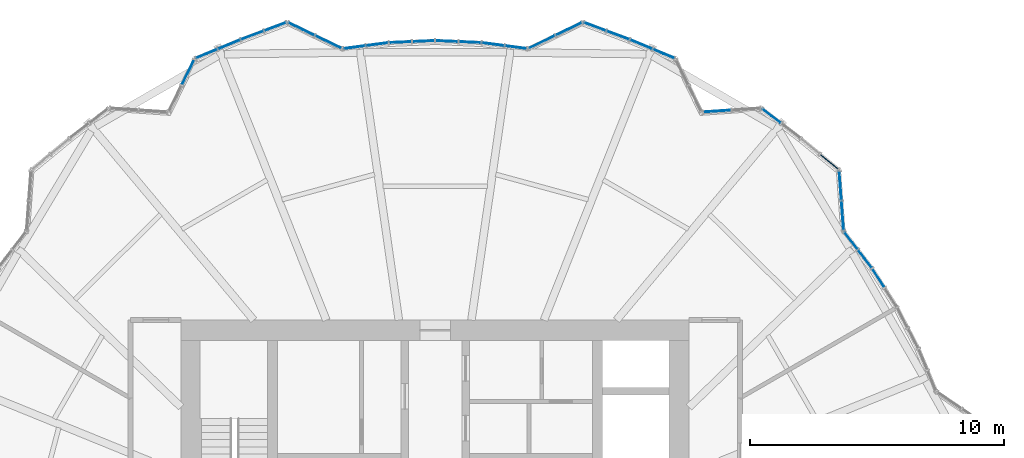
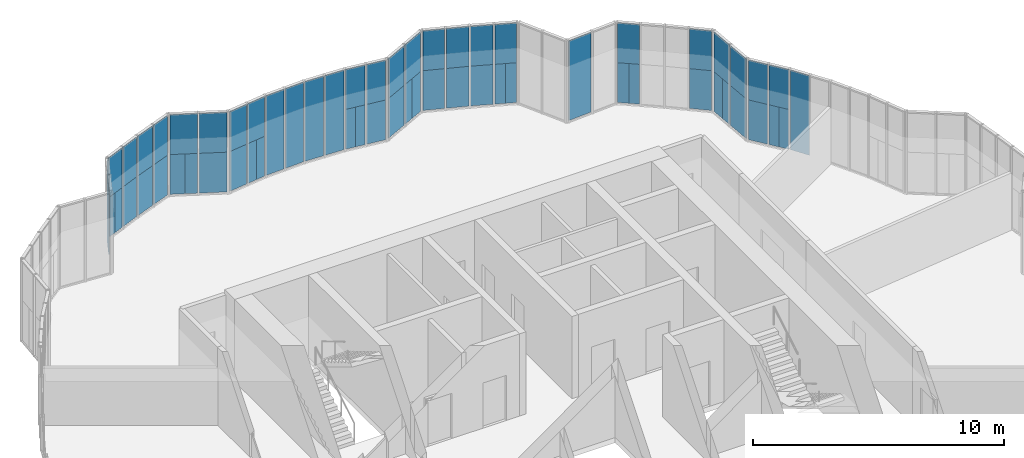
# One storey, part 18 of 22: 60 plates, 17 elements without a shape of their own.
"""IFC4 building model written with IfcOpenShell, lengths in metres."""

from ifc_helpers import new_model, si_unit, direction, frame, origin, origin_2d, place, context, subcontext, project, spatial, rectangle, extrude, material, layer, layer_set, type_object, element, aggregate, save


model = new_model("IFC4")

# Units and contexts
model_context = context("Model", 3, precision=1e-05, world=origin(), true_north=direction((0.0, 1.0)))
body_context = subcontext(model_context, "Body", "Model", "MODEL_VIEW")
ifc_project = project(units=[si_unit("LENGTHUNIT", "METRE"), si_unit("AREAUNIT", "SQUARE_METRE"), si_unit("VOLUMEUNIT", "CUBIC_METRE"), si_unit("PLANEANGLEUNIT", "RADIAN"), si_unit("MASSUNIT", "GRAM", prefix="KILO")], contexts=[model_context])

# Site, building, storey
site_placement = place(None, origin())
site = spatial("IfcSite", under=ifc_project, at=site_placement, CompositionType="ELEMENT")
building_placement = place(site_placement, origin())
building = spatial("IfcBuilding", under=site, at=building_placement, Name="Golbaran Civic Tower", CompositionType="ELEMENT")
storey_placement = place(building_placement, frame((0.0, 0.0, 29.0)))
storey = spatial("IfcBuildingStorey", under=building, at=storey_placement, Name="L06", CompositionType="ELEMENT", Elevation=29.0)

# Curtain wall, plate
ifc_material_1 = material(Name="Aluminium and glass", Category="aluminium")
curtain_wall_type = type_object("IfcCurtainWallType", Name="INNER SKIN CURTAIN WALL", PredefinedType="NOTDEFINED", material=ifc_material_1)
curtain_wall_1_placement = place(storey_placement, origin())
curtain_wall_1 = element("IfcCurtainWall", 1, at=curtain_wall_1_placement, inside=storey, type_object=curtain_wall_type, Name="Inner skin L06 facet 7 CW1", ObjectType="INNER SKIN", PredefinedType="USERDEFINED")
ifc_material_2 = material(Name="Clear insulating glass", Category="glass")
ifc_layer_1 = layer(ifc_material_2, 0.031982421875, Name="Clear insulating glass")
ifc_layer_set_1 = layer_set([ifc_layer_1], Name="Clear insulating glass")
plate_type_1 = type_object("IfcPlateType", Name="INNER SKIN CURTAIN WALL GLAZED PANEL", PredefinedType="CURTAIN_PANEL", material=ifc_layer_set_1)
plate_1_placement = place(storey_placement, frame((17.452392578125, 11.66162109375, 0.06494140625), z_axis=(0.0, 0.0, 1.0), x_axis=(-0.537299608155, 0.843391445935, 0.0)))
plate_1 = element("IfcPlate", 2, at=plate_1_placement, type_object=plate_type_1, Name="CW1 panel 2.1", PredefinedType="CURTAIN_PANEL", context=body_context, shape_type="SweptSolid", body=[
    extrude(rectangle(XDim=0.851318359375, YDim=0.031982421875, at=origin_2d()), origin(), (0.0, 0.0, 1.0), 3.8701171875),
])
aggregate(curtain_wall_1, [plate_1])

# Curtain wall, plates
curtain_wall_2_placement = place(storey_placement, origin())
curtain_wall_2 = element("IfcCurtainWall", 3, at=curtain_wall_2_placement, inside=storey, type_object=curtain_wall_type, Name="Inner skin L06 facet 8 CW1", ObjectType="INNER SKIN", PredefinedType="USERDEFINED")
plate_2_placement = place(storey_placement, frame((17.05810546875, 12.2412109375, 0.06494140625), z_axis=(0.0, 0.0, 1.0), x_axis=(-0.60876142905, 0.793353340259, 0.0)))
plate_2 = element("IfcPlate", 4, at=plate_2_placement, type_object=plate_type_1, Name="CW1 panel 1.1 part 1", PredefinedType="CURTAIN_PANEL", context=body_context, shape_type="SweptSolid", body=[
    extrude(rectangle(XDim=0.422119140625, YDim=0.031982421875, at=origin_2d()), origin(), (0.0, 0.0, 1.0), 1.93505859375),
])
plate_3_placement = place(storey_placement, frame((16.927490234375, 12.411376953125, 2.0), z_axis=(0.0, 0.0, 1.0), x_axis=(-0.60876142905, 0.793353340259, 0.0)))
plate_3 = element("IfcPlate", 5, at=plate_3_placement, type_object=plate_type_1, Name="CW1 panel 1.1 part 3", PredefinedType="CURTAIN_PANEL", context=body_context, shape_type="SweptSolid", body=[
    extrude(rectangle(XDim=0.851318359375, YDim=0.031982421875, at=origin_2d()), origin(), (0.0, 0.0, 1.0), 1.93505859375),
])

# Curtain wall, plate
curtain_wall_3_placement = place(storey_placement, origin())
curtain_wall_3 = element("IfcCurtainWall", 6, at=curtain_wall_3_placement, inside=storey, type_object=curtain_wall_type, Name="Inner skin L06 facet 9 CW1", ObjectType="INNER SKIN", PredefinedType="USERDEFINED")
plate_4_placement = place(storey_placement, frame((15.93896484375, 15.5400390625, 0.06494140625), z_axis=(0.0, 0.0, 1.0), x_axis=(-0.074267065092, 0.997238388272, 0.0)))
plate_4 = element("IfcPlate", 7, at=plate_4_placement, type_object=plate_type_1, Name="CW1 panel 2.1 part 2", PredefinedType="CURTAIN_PANEL", context=body_context, shape_type="SweptSolid", body=[
    extrude(rectangle(XDim=0.614501953125, YDim=0.031982421875, at=origin_2d()), origin(), (0.0, 0.0, 1.0), 1.93505859375),
])

curtain_wall_4_placement = place(storey_placement, origin())
curtain_wall_4 = element("IfcCurtainWall", 8, at=curtain_wall_4_placement, inside=storey, type_object=curtain_wall_type, Name="Inner skin L06 facet 10 CW1", ObjectType="INNER SKIN", PredefinedType="USERDEFINED")
plate_5_placement = place(storey_placement, frame((15.520263671875, 16.2333984375, 0.06494140625), z_axis=(0.0, 0.0, 1.0), x_axis=(-0.772032452954, 0.63558311147, 0.0)))
plate_5 = element("IfcPlate", 9, at=plate_5_placement, type_object=plate_type_1, Name="CW1 panel 1.1 part 1", PredefinedType="CURTAIN_PANEL", context=body_context, shape_type="SweptSolid", body=[
    extrude(rectangle(XDim=0.883056640625, YDim=0.031982421875, at=origin_2d()), origin(), (0.0, 0.0, 1.0), 1.93505859375),
])

# Curtain wall, plates
curtain_wall_5_placement = place(storey_placement, origin())
curtain_wall_5 = element("IfcCurtainWall", 10, at=curtain_wall_5_placement, inside=storey, type_object=curtain_wall_type, Name="Inner skin L06 facet 11 CW1", ObjectType="INNER SKIN", PredefinedType="USERDEFINED")
plate_6_placement = place(storey_placement, frame((13.0751953125, 18.172119140625, 0.06494140625), z_axis=(0.0, 0.0, 1.0), x_axis=(-0.793353340408, 0.608761428856, 0.0)))
plate_6 = element("IfcPlate", 11, at=plate_6_placement, type_object=plate_type_1, Name="CW1 panel 2.1 part 2", PredefinedType="CURTAIN_PANEL", context=body_context, shape_type="SweptSolid", body=[
    extrude(rectangle(XDim=0.445556640625, YDim=0.031982421875, at=origin_2d()), origin(), (0.0, 0.0, 1.0), 1.93505859375),
])
plate_7_placement = place(storey_placement, frame((13.247314453125, 18.0400390625, 2.0), z_axis=(0.0, 0.0, 1.0), x_axis=(-0.793353340408, 0.608761428856, 0.0)))
plate_7 = element("IfcPlate", 12, at=plate_7_placement, type_object=plate_type_1, Name="CW1 panel 2.1 part 3", PredefinedType="CURTAIN_PANEL", context=body_context, shape_type="SweptSolid", body=[
    extrude(rectangle(XDim=0.87939453125, YDim=0.031982421875, at=origin_2d()), origin(), (0.0, 0.0, 1.0), 1.93505859375),
])

# Curtain wall, plate
curtain_wall_6_placement = place(storey_placement, origin())
curtain_wall_6 = element("IfcCurtainWall", 13, at=curtain_wall_6_placement, inside=storey, type_object=curtain_wall_type, Name="Inner skin L06 facet 12 CW1", ObjectType="INNER SKIN", PredefinedType="USERDEFINED")
plate_8_placement = place(storey_placement, frame((11.104736328125, 18.23095703125, 0.06494140625), z_axis=(0.0, 0.0, 1.0), x_axis=(-0.99777932909, -0.066606384387, 0.0)))
plate_8 = element("IfcPlate", 14, at=plate_8_placement, type_object=plate_type_1, Name="CW1 panel 2.1", PredefinedType="CURTAIN_PANEL", context=body_context, shape_type="SweptSolid", body=[
    extrude(rectangle(XDim=1.077392578125, YDim=0.031982421875, at=origin_2d()), origin(), (0.0, 0.0, 1.0), 3.8701171875),
])
aggregate(curtain_wall_6, [plate_8])

# Curtain wall, plates
curtain_wall_7_placement = place(storey_placement, origin())
curtain_wall_7 = element("IfcCurtainWall", 15, at=curtain_wall_7_placement, inside=storey, type_object=curtain_wall_type, Name="Inner skin L06 facet 14 CW1", ObjectType="INNER SKIN", PredefinedType="USERDEFINED")
plate_9_placement = place(storey_placement, frame((9.2001953125, 20.409423828125, 0.06494140625), z_axis=(0.0, 0.0, 1.0), x_axis=(-0.923879532551, 0.382683432268, 0.0)))
plate_9 = element("IfcPlate", 16, at=plate_9_placement, type_object=plate_type_1, Name="CW1 panel 1.1 part 1", PredefinedType="CURTAIN_PANEL", context=body_context, shape_type="SweptSolid", body=[
    extrude(rectangle(XDim=0.445068359375, YDim=0.031982421875, at=origin_2d()), origin(), (0.0, 0.0, 1.0), 1.93505859375),
])
plate_10_placement = place(storey_placement, frame((8.99951171875, 20.49267578125, 2.0), z_axis=(0.0, 0.0, 1.0), x_axis=(-0.923879532551, 0.382683432268, 0.0)))
plate_10 = element("IfcPlate", 17, at=plate_10_placement, type_object=plate_type_1, Name="CW1 panel 1.1 part 3", PredefinedType="CURTAIN_PANEL", context=body_context, shape_type="SweptSolid", body=[
    extrude(rectangle(XDim=0.87939453125, YDim=0.031982421875, at=origin_2d()), origin(), (0.0, 0.0, 1.0), 1.93505859375),
])

# Curtain wall, plate
curtain_wall_8_placement = place(storey_placement, origin())
curtain_wall_8 = element("IfcCurtainWall", 18, at=curtain_wall_8_placement, inside=storey, type_object=curtain_wall_type, Name="Inner skin L06 facet 15 CW1", ObjectType="INNER SKIN", PredefinedType="USERDEFINED")
plate_11_placement = place(storey_placement, frame((6.29833984375, 21.5576171875, 0.06494140625), z_axis=(0.0, 0.0, 1.0), x_axis=(-0.936447347079, 0.350808161461, 0.0)))
plate_11 = element("IfcPlate", 19, at=plate_11_placement, type_object=plate_type_1, Name="CW1 panel 2.1 part 1", PredefinedType="CURTAIN_PANEL", context=body_context, shape_type="SweptSolid", body=[
    extrude(rectangle(XDim=0.883056640625, YDim=0.031982421875, at=origin_2d()), origin(), (0.0, 0.0, 1.0), 1.93505859375),
])

curtain_wall_9_placement = place(storey_placement, origin())
curtain_wall_9 = element("IfcCurtainWall", 20, at=curtain_wall_9_placement, inside=storey, type_object=curtain_wall_type, Name="Inner skin L06 facet 16 CW1", ObjectType="INNER SKIN", PredefinedType="USERDEFINED")
plate_12_placement = place(storey_placement, frame((5.48876953125, 21.57373046875, 0.06494140625), z_axis=(0.0, 0.0, 1.0), x_axis=(-0.900767310343, -0.434302029259, 0.0)))
plate_12 = element("IfcPlate", 21, at=plate_12_placement, type_object=plate_type_1, Name="CW1 panel 1.1 part 1", PredefinedType="CURTAIN_PANEL", context=body_context, shape_type="SweptSolid", body=[
    extrude(rectangle(XDim=0.614013671875, YDim=0.031982421875, at=origin_2d()), origin(), (0.0, 0.0, 1.0), 1.93505859375),
])

# Curtain wall, plates
curtain_wall_10_placement = place(storey_placement, origin())
curtain_wall_10 = element("IfcCurtainWall", 22, at=curtain_wall_10_placement, inside=storey, type_object=curtain_wall_type, Name="Inner skin L06 facet 17 CW1", ObjectType="INNER SKIN", PredefinedType="USERDEFINED")
plate_13_placement = place(storey_placement, frame((2.072265625, 20.893310546875, 0.06494140625), z_axis=(0.0, 0.0, 1.0), x_axis=(-0.991444861406, 0.130526191978, 0.0)))
plate_13 = element("IfcPlate", 23, at=plate_13_placement, type_object=plate_type_1, Name="CW1 panel 2.1 part 2", PredefinedType="CURTAIN_PANEL", context=body_context, shape_type="SweptSolid", body=[
    extrude(rectangle(XDim=0.422119140625, YDim=0.031982421875, at=origin_2d()), origin(), (0.0, 0.0, 1.0), 1.93505859375),
])
plate_14_placement = place(storey_placement, frame((2.284912109375, 20.865234375, 2.0), z_axis=(0.0, 0.0, 1.0), x_axis=(-0.991444861406, 0.130526191978, 0.0)))
plate_14 = element("IfcPlate", 24, at=plate_14_placement, type_object=plate_type_1, Name="CW1 panel 2.1 part 3", PredefinedType="CURTAIN_PANEL", context=body_context, shape_type="SweptSolid", body=[
    extrude(rectangle(XDim=0.851318359375, YDim=0.031982421875, at=origin_2d()), origin(), (0.0, 0.0, 1.0), 1.93505859375),
])

curtain_wall_11_placement = place(storey_placement, origin())
curtain_wall_11 = element("IfcCurtainWall", 25, at=curtain_wall_11_placement, inside=storey, type_object=curtain_wall_type, Name="Inner skin L06 facet 18 CW1", ObjectType="INNER SKIN", PredefinedType="USERDEFINED")
plate_15_placement = place(storey_placement, frame((1.373046875, 20.945068359375, 0.06494140625), z_axis=(0.0, 0.0, 1.0), x_axis=(-0.999048221571, 0.043619387609, 0.0)))
plate_15 = element("IfcPlate", 26, at=plate_15_placement, type_object=plate_type_1, Name="CW1 panel 1.1", PredefinedType="CURTAIN_PANEL", context=body_context, shape_type="SweptSolid", body=[
    extrude(rectangle(XDim=0.851318359375, YDim=0.031982421875, at=origin_2d()), origin(), (0.0, 0.0, 1.0), 3.8701171875),
])
plate_16_placement = place(storey_placement, frame((0.457763671875, 20.985107421875, 0.06494140625), z_axis=(0.0, 0.0, 1.0), x_axis=(-0.999048221571, 0.043619387609, 0.0)))
plate_16 = element("IfcPlate", 27, at=plate_16_placement, type_object=plate_type_1, Name="CW1 panel 2.1", PredefinedType="CURTAIN_PANEL", context=body_context, shape_type="SweptSolid", body=[
    extrude(rectangle(XDim=0.851318359375, YDim=0.031982421875, at=origin_2d()), origin(), (0.0, 0.0, 1.0), 3.8701171875),
])
aggregate(curtain_wall_11, [plate_15, plate_16])

curtain_wall_12_placement = place(storey_placement, origin())
curtain_wall_12 = element("IfcCurtainWall", 28, at=curtain_wall_12_placement, inside=storey, type_object=curtain_wall_type, Name="Inner skin L06 facet 19 CW1", ObjectType="INNER SKIN", PredefinedType="USERDEFINED")
plate_17_placement = place(storey_placement, frame((-0.457763671875, 20.985107421875, 0.06494140625), z_axis=(0.0, 0.0, 1.0), x_axis=(-0.999048221571, -0.043619387609, 0.0)))
plate_17 = element("IfcPlate", 29, at=plate_17_placement, type_object=plate_type_1, Name="CW1 panel 1.1", PredefinedType="CURTAIN_PANEL", context=body_context, shape_type="SweptSolid", body=[
    extrude(rectangle(XDim=0.851318359375, YDim=0.031982421875, at=origin_2d()), origin(), (0.0, 0.0, 1.0), 3.8701171875),
])
plate_18_placement = place(storey_placement, frame((-1.373046875, 20.945068359375, 0.06494140625), z_axis=(0.0, 0.0, 1.0), x_axis=(-0.999048221571, -0.043619387609, 0.0)))
plate_18 = element("IfcPlate", 30, at=plate_18_placement, type_object=plate_type_1, Name="CW1 panel 2.1", PredefinedType="CURTAIN_PANEL", context=body_context, shape_type="SweptSolid", body=[
    extrude(rectangle(XDim=0.851318359375, YDim=0.031982421875, at=origin_2d()), origin(), (0.0, 0.0, 1.0), 3.8701171875),
])
aggregate(curtain_wall_12, [plate_17, plate_18])

curtain_wall_13_placement = place(storey_placement, origin())
curtain_wall_13 = element("IfcCurtainWall", 31, at=curtain_wall_13_placement, inside=storey, type_object=curtain_wall_type, Name="Inner skin L06 facet 20 CW1", ObjectType="INNER SKIN", PredefinedType="USERDEFINED")
plate_19_placement = place(storey_placement, frame((-2.072021484375, 20.893310546875, 0.06494140625), z_axis=(0.0, 0.0, 1.0), x_axis=(-0.991444861406, -0.130526191978, 0.0)))
plate_19 = element("IfcPlate", 32, at=plate_19_placement, type_object=plate_type_1, Name="CW1 panel 1.1 part 1", PredefinedType="CURTAIN_PANEL", context=body_context, shape_type="SweptSolid", body=[
    extrude(rectangle(XDim=0.422119140625, YDim=0.031982421875, at=origin_2d()), origin(), (0.0, 0.0, 1.0), 1.93505859375),
])
plate_20_placement = place(storey_placement, frame((-2.284912109375, 20.865234375, 2.0), z_axis=(0.0, 0.0, 1.0), x_axis=(-0.991444861406, -0.130526191978, 0.0)))
plate_20 = element("IfcPlate", 33, at=plate_20_placement, type_object=plate_type_1, Name="CW1 panel 1.1 part 3", PredefinedType="CURTAIN_PANEL", context=body_context, shape_type="SweptSolid", body=[
    extrude(rectangle(XDim=0.851318359375, YDim=0.031982421875, at=origin_2d()), origin(), (0.0, 0.0, 1.0), 1.93505859375),
])

# Curtain wall, plate
curtain_wall_14_placement = place(storey_placement, origin())
curtain_wall_14 = element("IfcCurtainWall", 34, at=curtain_wall_14_placement, inside=storey, type_object=curtain_wall_type, Name="Inner skin L06 facet 21 CW1", ObjectType="INNER SKIN", PredefinedType="USERDEFINED")
plate_21_placement = place(storey_placement, frame((-5.488525390625, 21.573486328125, 0.06494140625), z_axis=(0.0, 0.0, 1.0), x_axis=(-0.900767310343, 0.434302029259, 0.0)))
plate_21 = element("IfcPlate", 35, at=plate_21_placement, type_object=plate_type_1, Name="CW1 panel 2.1 part 2", PredefinedType="CURTAIN_PANEL", context=body_context, shape_type="SweptSolid", body=[
    extrude(rectangle(XDim=0.614501953125, YDim=0.031982421875, at=origin_2d()), origin(), (0.0, 0.0, 1.0), 1.93505859375),
])

curtain_wall_15_placement = place(storey_placement, origin())
curtain_wall_15 = element("IfcCurtainWall", 36, at=curtain_wall_15_placement, inside=storey, type_object=curtain_wall_type, Name="Inner skin L06 facet 22 CW1", ObjectType="INNER SKIN", PredefinedType="USERDEFINED")
plate_22_placement = place(storey_placement, frame((-6.29833984375, 21.5576171875, 0.06494140625), z_axis=(0.0, 0.0, 1.0), x_axis=(-0.936447347079, -0.350808161461, 0.0)))
plate_22 = element("IfcPlate", 37, at=plate_22_placement, type_object=plate_type_1, Name="CW1 panel 1.1 part 1", PredefinedType="CURTAIN_PANEL", context=body_context, shape_type="SweptSolid", body=[
    extrude(rectangle(XDim=0.883056640625, YDim=0.031982421875, at=origin_2d()), origin(), (0.0, 0.0, 1.0), 1.93505859375),
])

# Curtain wall, plates
curtain_wall_16_placement = place(storey_placement, origin())
curtain_wall_16 = element("IfcCurtainWall", 38, at=curtain_wall_16_placement, inside=storey, type_object=curtain_wall_type, Name="Inner skin L06 facet 23 CW1", ObjectType="INNER SKIN", PredefinedType="USERDEFINED")
plate_23_placement = place(storey_placement, frame((-9.199951171875, 20.40966796875, 0.06494140625), z_axis=(0.0, 0.0, 1.0), x_axis=(-0.923879532551, -0.382683432268, 0.0)))
plate_23 = element("IfcPlate", 39, at=plate_23_placement, type_object=plate_type_1, Name="CW1 panel 2.1 part 2", PredefinedType="CURTAIN_PANEL", context=body_context, shape_type="SweptSolid", body=[
    extrude(rectangle(XDim=0.445556640625, YDim=0.031982421875, at=origin_2d()), origin(), (0.0, 0.0, 1.0), 1.93505859375),
])
plate_24_placement = place(storey_placement, frame((-8.99951171875, 20.49267578125, 2.0), z_axis=(0.0, 0.0, 1.0), x_axis=(-0.923879532551, -0.382683432268, 0.0)))
plate_24 = element("IfcPlate", 40, at=plate_24_placement, type_object=plate_type_1, Name="CW1 panel 2.1 part 3", PredefinedType="CURTAIN_PANEL", context=body_context, shape_type="SweptSolid", body=[
    extrude(rectangle(XDim=0.87939453125, YDim=0.031982421875, at=origin_2d()), origin(), (0.0, 0.0, 1.0), 1.93505859375),
])

# Curtain wall, plate
curtain_wall_17_placement = place(storey_placement, origin())
curtain_wall_17 = element("IfcCurtainWall", 41, at=curtain_wall_17_placement, inside=storey, type_object=curtain_wall_type, Name="Inner skin L06 facet 24 CW1", ObjectType="INNER SKIN", PredefinedType="USERDEFINED")
plate_25_placement = place(storey_placement, frame((-9.732177734375, 19.7578125, 0.06494140625), z_axis=(0.0, 0.0, 1.0), x_axis=(-0.441206843893, -0.897405438418, 0.0)))
plate_25 = element("IfcPlate", 42, at=plate_25_placement, type_object=plate_type_1, Name="CW1 panel 1.1", PredefinedType="CURTAIN_PANEL", context=body_context, shape_type="SweptSolid", body=[
    extrude(rectangle(XDim=1.077392578125, YDim=0.031982421875, at=origin_2d()), origin(), (0.0, 0.0, 1.0), 3.8701171875),
])
aggregate(curtain_wall_17, [plate_25])

# Plate
ifc_material_3 = material(Name="Aluminium faced opaque infill panel", Category="aluminium")
ifc_layer_2 = layer(ifc_material_3, 0.031982421875, Name="Aluminium faced opaque infill panel")
ifc_layer_set_2 = layer_set([ifc_layer_2], Name="Aluminium faced opaque infill panel")
plate_type_2 = type_object("IfcPlateType", Name="INNER SKIN CURTAIN WALL OPAQUE INFILL PANEL", PredefinedType="CURTAIN_PANEL", material=ifc_layer_set_2)
plate_26_placement = place(storey_placement, frame((16.799072265625, 12.578857421875, 0.06494140625), z_axis=(0.0, 0.0, 1.0), x_axis=(-0.60876142905, 0.793353340259, 0.0)))
plate_26 = element("IfcPlate", 43, at=plate_26_placement, type_object=plate_type_2, Name="CW1 infill panel 1.1 part 2", PredefinedType="CURTAIN_PANEL", context=body_context, shape_type="SweptSolid", body=[
    extrude(rectangle(XDim=0.42919921875, YDim=0.031982421875, at=origin_2d()), origin(), (0.0, 0.0, 1.0), 1.93505859375),
])

plate_27_placement = place(storey_placement, frame((16.379638671875, 13.12548828125, 0.06494140625), z_axis=(0.0, 0.0, 1.0), x_axis=(-0.60876142905, 0.793353340259, 0.0)))
plate_27 = element("IfcPlate", 44, at=plate_27_placement, type_object=plate_type_2, Name="CW1 infill panel 2.1 part 1", PredefinedType="CURTAIN_PANEL", context=body_context, shape_type="SweptSolid", body=[
    extrude(rectangle(XDim=0.818603515625, YDim=0.031982421875, at=origin_2d()), origin(), (0.0, 0.0, 1.0), 1.93505859375),
])

plate_28_placement = place(storey_placement, frame((16.379638671875, 13.12548828125, 2.0), z_axis=(0.0, 0.0, 1.0), x_axis=(-0.60876142905, 0.793353340259, 0.0)))
plate_28 = element("IfcPlate", 45, at=plate_28_placement, type_object=plate_type_2, Name="CW1 infill panel 2.1 part 2", PredefinedType="CURTAIN_PANEL", context=body_context, shape_type="SweptSolid", body=[
    extrude(rectangle(XDim=0.818603515625, YDim=0.031982421875, at=origin_2d()), origin(), (0.0, 0.0, 1.0), 1.93505859375),
])

aggregate(curtain_wall_2, [plate_2, plate_26, plate_3, plate_27, plate_28])

plate_29_placement = place(storey_placement, frame((16.044677734375, 14.120361328125, 0.06494140625), z_axis=(0.0, 0.0, 1.0), x_axis=(-0.074267065092, 0.997238388272, 0.0)))
plate_29 = element("IfcPlate", 46, at=plate_29_placement, type_object=plate_type_2, Name="CW1 infill panel 1.1 part 1", PredefinedType="CURTAIN_PANEL", context=body_context, shape_type="SweptSolid", body=[
    extrude(rectangle(XDim=1.110595703125, YDim=0.031982421875, at=origin_2d()), origin(), (0.0, 0.0, 1.0), 1.93505859375),
])

plate_30_placement = place(storey_placement, frame((16.044677734375, 14.120361328125, 2.0), z_axis=(0.0, 0.0, 1.0), x_axis=(-0.074267065092, 0.997238388272, 0.0)))
plate_30 = element("IfcPlate", 47, at=plate_30_placement, type_object=plate_type_2, Name="CW1 infill panel 1.1 part 2", PredefinedType="CURTAIN_PANEL", context=body_context, shape_type="SweptSolid", body=[
    extrude(rectangle(XDim=1.110595703125, YDim=0.031982421875, at=origin_2d()), origin(), (0.0, 0.0, 1.0), 1.93505859375),
])

plate_31_placement = place(storey_placement, frame((15.980224609375, 14.986328125, 0.06494140625), z_axis=(0.0, 0.0, 1.0), x_axis=(-0.074267065092, 0.997238388272, 0.0)))
plate_31 = element("IfcPlate", 48, at=plate_31_placement, type_object=plate_type_2, Name="CW1 infill panel 2.1 part 1", PredefinedType="CURTAIN_PANEL", context=body_context, shape_type="SweptSolid", body=[
    extrude(rectangle(XDim=0.49609375, YDim=0.031982421875, at=origin_2d()), origin(), (0.0, 0.0, 1.0), 1.93505859375),
])

plate_32_placement = place(storey_placement, frame((15.957275390625, 15.292724609375, 2.0), z_axis=(0.0, 0.0, 1.0), x_axis=(-0.074267065092, 0.997238388272, 0.0)))
plate_32 = element("IfcPlate", 49, at=plate_32_placement, type_object=plate_type_2, Name="CW1 infill panel 2.1 part 3", PredefinedType="CURTAIN_PANEL", context=body_context, shape_type="SweptSolid", body=[
    extrude(rectangle(XDim=1.110595703125, YDim=0.031982421875, at=origin_2d()), origin(), (0.0, 0.0, 1.0), 1.93505859375),
])

aggregate(curtain_wall_3, [plate_29, plate_30, plate_31, plate_4, plate_32])

plate_33_placement = place(storey_placement, frame((15.520263671875, 16.2333984375, 2.0), z_axis=(0.0, 0.0, 1.0), x_axis=(-0.772032452954, 0.63558311147, 0.0)))
plate_33 = element("IfcPlate", 50, at=plate_33_placement, type_object=plate_type_2, Name="CW1 infill panel 1.1 part 2", PredefinedType="CURTAIN_PANEL", context=body_context, shape_type="SweptSolid", body=[
    extrude(rectangle(XDim=0.883056640625, YDim=0.031982421875, at=origin_2d()), origin(), (0.0, 0.0, 1.0), 1.93505859375),
])

aggregate(curtain_wall_4, [plate_5, plate_33])

plate_34_placement = place(storey_placement, frame((13.424072265625, 17.904541015625, 0.06494140625), z_axis=(0.0, 0.0, 1.0), x_axis=(-0.793353340408, 0.608761428856, 0.0)))
plate_34 = element("IfcPlate", 51, at=plate_34_placement, type_object=plate_type_2, Name="CW1 infill panel 2.1 part 1", PredefinedType="CURTAIN_PANEL", context=body_context, shape_type="SweptSolid", body=[
    extrude(rectangle(XDim=0.43408203125, YDim=0.031982421875, at=origin_2d()), origin(), (0.0, 0.0, 1.0), 1.93505859375),
])

aggregate(curtain_wall_5, [plate_34, plate_6, plate_7])

plate_35_placement = place(storey_placement, frame((8.7939453125, 20.577880859375, 0.06494140625), z_axis=(0.0, 0.0, 1.0), x_axis=(-0.923879532551, 0.382683432268, 0.0)))
plate_35 = element("IfcPlate", 52, at=plate_35_placement, type_object=plate_type_2, Name="CW1 infill panel 1.1 part 2", PredefinedType="CURTAIN_PANEL", context=body_context, shape_type="SweptSolid", body=[
    extrude(rectangle(XDim=0.4345703125, YDim=0.031982421875, at=origin_2d()), origin(), (0.0, 0.0, 1.0), 1.93505859375),
])

plate_36_placement = place(storey_placement, frame((8.11181640625, 20.8603515625, 0.06494140625), z_axis=(0.0, 0.0, 1.0), x_axis=(-0.923879532551, 0.382683432268, 0.0)))
plate_36 = element("IfcPlate", 53, at=plate_36_placement, type_object=plate_type_2, Name="CW1 infill panel 2.1 part 1", PredefinedType="CURTAIN_PANEL", context=body_context, shape_type="SweptSolid", body=[
    extrude(rectangle(XDim=0.911865234375, YDim=0.031982421875, at=origin_2d()), origin(), (0.0, 0.0, 1.0), 1.93505859375),
])

plate_37_placement = place(storey_placement, frame((8.11181640625, 20.8603515625, 2.0), z_axis=(0.0, 0.0, 1.0), x_axis=(-0.923879532551, 0.382683432268, 0.0)))
plate_37 = element("IfcPlate", 54, at=plate_37_placement, type_object=plate_type_2, Name="CW1 infill panel 2.1 part 2", PredefinedType="CURTAIN_PANEL", context=body_context, shape_type="SweptSolid", body=[
    extrude(rectangle(XDim=0.911865234375, YDim=0.031982421875, at=origin_2d()), origin(), (0.0, 0.0, 1.0), 1.93505859375),
])

aggregate(curtain_wall_7, [plate_9, plate_35, plate_10, plate_36, plate_37])

plate_38_placement = place(storey_placement, frame((7.201416015625, 21.21923828125, 0.06494140625), z_axis=(0.0, 0.0, 1.0), x_axis=(-0.936447347079, 0.350808161461, 0.0)))
plate_38 = element("IfcPlate", 55, at=plate_38_placement, type_object=plate_type_2, Name="CW1 infill panel 1.1 part 1", PredefinedType="CURTAIN_PANEL", context=body_context, shape_type="SweptSolid", body=[
    extrude(rectangle(XDim=0.91552734375, YDim=0.031982421875, at=origin_2d()), origin(), (0.0, 0.0, 1.0), 1.93505859375),
])

plate_39_placement = place(storey_placement, frame((7.201416015625, 21.21923828125, 2.0), z_axis=(0.0, 0.0, 1.0), x_axis=(-0.936447347079, 0.350808161461, 0.0)))
plate_39 = element("IfcPlate", 56, at=plate_39_placement, type_object=plate_type_2, Name="CW1 infill panel 1.1 part 2", PredefinedType="CURTAIN_PANEL", context=body_context, shape_type="SweptSolid", body=[
    extrude(rectangle(XDim=0.91552734375, YDim=0.031982421875, at=origin_2d()), origin(), (0.0, 0.0, 1.0), 1.93505859375),
])

plate_40_placement = place(storey_placement, frame((6.29833984375, 21.5576171875, 2.0), z_axis=(0.0, 0.0, 1.0), x_axis=(-0.936447347079, 0.350808161461, 0.0)))
plate_40 = element("IfcPlate", 57, at=plate_40_placement, type_object=plate_type_2, Name="CW1 infill panel 2.1 part 2", PredefinedType="CURTAIN_PANEL", context=body_context, shape_type="SweptSolid", body=[
    extrude(rectangle(XDim=0.883056640625, YDim=0.031982421875, at=origin_2d()), origin(), (0.0, 0.0, 1.0), 1.93505859375),
])

aggregate(curtain_wall_8, [plate_38, plate_39, plate_11, plate_40])

plate_41_placement = place(storey_placement, frame((4.98876953125, 21.33251953125, 0.06494140625), z_axis=(0.0, 0.0, 1.0), x_axis=(-0.900767310343, -0.434302029259, 0.0)))
plate_41 = element("IfcPlate", 58, at=plate_41_placement, type_object=plate_type_2, Name="CW1 infill panel 1.1 part 2", PredefinedType="CURTAIN_PANEL", context=body_context, shape_type="SweptSolid", body=[
    extrude(rectangle(XDim=0.49658203125, YDim=0.031982421875, at=origin_2d()), origin(), (0.0, 0.0, 1.0), 1.93505859375),
])

plate_42_placement = place(storey_placement, frame((5.26513671875, 21.4658203125, 2.0), z_axis=(0.0, 0.0, 1.0), x_axis=(-0.900767310343, -0.434302029259, 0.0)))
plate_42 = element("IfcPlate", 59, at=plate_42_placement, type_object=plate_type_2, Name="CW1 infill panel 1.1 part 3", PredefinedType="CURTAIN_PANEL", context=body_context, shape_type="SweptSolid", body=[
    extrude(rectangle(XDim=1.110595703125, YDim=0.031982421875, at=origin_2d()), origin(), (0.0, 0.0, 1.0), 1.93505859375),
])

plate_43_placement = place(storey_placement, frame((4.206298828125, 20.955322265625, 0.06494140625), z_axis=(0.0, 0.0, 1.0), x_axis=(-0.900767310343, -0.434302029259, 0.0)))
plate_43 = element("IfcPlate", 60, at=plate_43_placement, type_object=plate_type_2, Name="CW1 infill panel 2.1 part 1", PredefinedType="CURTAIN_PANEL", context=body_context, shape_type="SweptSolid", body=[
    extrude(rectangle(XDim=1.110595703125, YDim=0.031982421875, at=origin_2d()), origin(), (0.0, 0.0, 1.0), 1.93505859375),
])

plate_44_placement = place(storey_placement, frame((4.206298828125, 20.955322265625, 2.0), z_axis=(0.0, 0.0, 1.0), x_axis=(-0.900767310343, -0.434302029259, 0.0)))
plate_44 = element("IfcPlate", 61, at=plate_44_placement, type_object=plate_type_2, Name="CW1 infill panel 2.1 part 2", PredefinedType="CURTAIN_PANEL", context=body_context, shape_type="SweptSolid", body=[
    extrude(rectangle(XDim=1.110595703125, YDim=0.031982421875, at=origin_2d()), origin(), (0.0, 0.0, 1.0), 1.93505859375),
])

aggregate(curtain_wall_9, [plate_12, plate_41, plate_42, plate_43, plate_44])

plate_45_placement = place(storey_placement, frame((3.17724609375, 20.747802734375, 0.06494140625), z_axis=(0.0, 0.0, 1.0), x_axis=(-0.991444861406, 0.130526191978, 0.0)))
plate_45 = element("IfcPlate", 62, at=plate_45_placement, type_object=plate_type_2, Name="CW1 infill panel 1.1 part 1", PredefinedType="CURTAIN_PANEL", context=body_context, shape_type="SweptSolid", body=[
    extrude(rectangle(XDim=0.818603515625, YDim=0.031982421875, at=origin_2d()), origin(), (0.0, 0.0, 1.0), 1.93505859375),
])

plate_46_placement = place(storey_placement, frame((3.17724609375, 20.747802734375, 2.0), z_axis=(0.0, 0.0, 1.0), x_axis=(-0.991444861406, 0.130526191978, 0.0)))
plate_46 = element("IfcPlate", 63, at=plate_46_placement, type_object=plate_type_2, Name="CW1 infill panel 1.1 part 2", PredefinedType="CURTAIN_PANEL", context=body_context, shape_type="SweptSolid", body=[
    extrude(rectangle(XDim=0.818603515625, YDim=0.031982421875, at=origin_2d()), origin(), (0.0, 0.0, 1.0), 1.93505859375),
])

plate_47_placement = place(storey_placement, frame((2.494140625, 20.837646484375, 0.06494140625), z_axis=(0.0, 0.0, 1.0), x_axis=(-0.991444861406, 0.130526191978, 0.0)))
plate_47 = element("IfcPlate", 64, at=plate_47_placement, type_object=plate_type_2, Name="CW1 infill panel 2.1 part 1", PredefinedType="CURTAIN_PANEL", context=body_context, shape_type="SweptSolid", body=[
    extrude(rectangle(XDim=0.428955078125, YDim=0.031982421875, at=origin_2d()), origin(), (0.0, 0.0, 1.0), 1.93505859375),
])

aggregate(curtain_wall_10, [plate_45, plate_46, plate_47, plate_13, plate_14])

plate_48_placement = place(storey_placement, frame((-2.494140625, 20.837646484375, 0.06494140625), z_axis=(0.0, 0.0, 1.0), x_axis=(-0.991444861406, -0.130526191978, 0.0)))
plate_48 = element("IfcPlate", 65, at=plate_48_placement, type_object=plate_type_2, Name="CW1 infill panel 1.1 part 2", PredefinedType="CURTAIN_PANEL", context=body_context, shape_type="SweptSolid", body=[
    extrude(rectangle(XDim=0.42919921875, YDim=0.031982421875, at=origin_2d()), origin(), (0.0, 0.0, 1.0), 1.93505859375),
])

plate_49_placement = place(storey_placement, frame((-3.17724609375, 20.747802734375, 0.06494140625), z_axis=(0.0, 0.0, 1.0), x_axis=(-0.991444861406, -0.130526191978, 0.0)))
plate_49 = element("IfcPlate", 66, at=plate_49_placement, type_object=plate_type_2, Name="CW1 infill panel 2.1 part 1", PredefinedType="CURTAIN_PANEL", context=body_context, shape_type="SweptSolid", body=[
    extrude(rectangle(XDim=0.818603515625, YDim=0.031982421875, at=origin_2d()), origin(), (0.0, 0.0, 1.0), 1.93505859375),
])

plate_50_placement = place(storey_placement, frame((-3.17724609375, 20.747802734375, 2.0), z_axis=(0.0, 0.0, 1.0), x_axis=(-0.991444861406, -0.130526191978, 0.0)))
plate_50 = element("IfcPlate", 67, at=plate_50_placement, type_object=plate_type_2, Name="CW1 infill panel 2.1 part 2", PredefinedType="CURTAIN_PANEL", context=body_context, shape_type="SweptSolid", body=[
    extrude(rectangle(XDim=0.818603515625, YDim=0.031982421875, at=origin_2d()), origin(), (0.0, 0.0, 1.0), 1.93505859375),
])

aggregate(curtain_wall_13, [plate_19, plate_48, plate_20, plate_49, plate_50])

plate_51_placement = place(storey_placement, frame((-4.206298828125, 20.955322265625, 0.06494140625), z_axis=(0.0, 0.0, 1.0), x_axis=(-0.900767310343, 0.434302029259, 0.0)))
plate_51 = element("IfcPlate", 68, at=plate_51_placement, type_object=plate_type_2, Name="CW1 infill panel 1.1 part 1", PredefinedType="CURTAIN_PANEL", context=body_context, shape_type="SweptSolid", body=[
    extrude(rectangle(XDim=1.110595703125, YDim=0.031982421875, at=origin_2d()), origin(), (0.0, 0.0, 1.0), 1.93505859375),
])

plate_52_placement = place(storey_placement, frame((-4.206298828125, 20.955322265625, 2.0), z_axis=(0.0, 0.0, 1.0), x_axis=(-0.900767310343, 0.434302029259, 0.0)))
plate_52 = element("IfcPlate", 69, at=plate_52_placement, type_object=plate_type_2, Name="CW1 infill panel 1.1 part 2", PredefinedType="CURTAIN_PANEL", context=body_context, shape_type="SweptSolid", body=[
    extrude(rectangle(XDim=1.110595703125, YDim=0.031982421875, at=origin_2d()), origin(), (0.0, 0.0, 1.0), 1.93505859375),
])

plate_53_placement = place(storey_placement, frame((-4.98828125, 21.332275390625, 0.06494140625), z_axis=(0.0, 0.0, 1.0), x_axis=(-0.900767310343, 0.434302029259, 0.0)))
plate_53 = element("IfcPlate", 70, at=plate_53_placement, type_object=plate_type_2, Name="CW1 infill panel 2.1 part 1", PredefinedType="CURTAIN_PANEL", context=body_context, shape_type="SweptSolid", body=[
    extrude(rectangle(XDim=0.49609375, YDim=0.031982421875, at=origin_2d()), origin(), (0.0, 0.0, 1.0), 1.93505859375),
])

plate_54_placement = place(storey_placement, frame((-5.26513671875, 21.4658203125, 2.0), z_axis=(0.0, 0.0, 1.0), x_axis=(-0.900767310343, 0.434302029259, 0.0)))
plate_54 = element("IfcPlate", 71, at=plate_54_placement, type_object=plate_type_2, Name="CW1 infill panel 2.1 part 3", PredefinedType="CURTAIN_PANEL", context=body_context, shape_type="SweptSolid", body=[
    extrude(rectangle(XDim=1.110595703125, YDim=0.031982421875, at=origin_2d()), origin(), (0.0, 0.0, 1.0), 1.93505859375),
])

aggregate(curtain_wall_14, [plate_51, plate_52, plate_53, plate_21, plate_54])

plate_55_placement = place(storey_placement, frame((-6.29833984375, 21.5576171875, 2.0), z_axis=(0.0, 0.0, 1.0), x_axis=(-0.936447347079, -0.350808161461, 0.0)))
plate_55 = element("IfcPlate", 72, at=plate_55_placement, type_object=plate_type_2, Name="CW1 infill panel 1.1 part 2", PredefinedType="CURTAIN_PANEL", context=body_context, shape_type="SweptSolid", body=[
    extrude(rectangle(XDim=0.883056640625, YDim=0.031982421875, at=origin_2d()), origin(), (0.0, 0.0, 1.0), 1.93505859375),
])

plate_56_placement = place(storey_placement, frame((-7.201416015625, 21.21923828125, 0.06494140625), z_axis=(0.0, 0.0, 1.0), x_axis=(-0.936447347079, -0.350808161461, 0.0)))
plate_56 = element("IfcPlate", 73, at=plate_56_placement, type_object=plate_type_2, Name="CW1 infill panel 2.1 part 1", PredefinedType="CURTAIN_PANEL", context=body_context, shape_type="SweptSolid", body=[
    extrude(rectangle(XDim=0.91552734375, YDim=0.031982421875, at=origin_2d()), origin(), (0.0, 0.0, 1.0), 1.93505859375),
])

plate_57_placement = place(storey_placement, frame((-7.201416015625, 21.21923828125, 2.0), z_axis=(0.0, 0.0, 1.0), x_axis=(-0.936447347079, -0.350808161461, 0.0)))
plate_57 = element("IfcPlate", 74, at=plate_57_placement, type_object=plate_type_2, Name="CW1 infill panel 2.1 part 2", PredefinedType="CURTAIN_PANEL", context=body_context, shape_type="SweptSolid", body=[
    extrude(rectangle(XDim=0.91552734375, YDim=0.031982421875, at=origin_2d()), origin(), (0.0, 0.0, 1.0), 1.93505859375),
])

aggregate(curtain_wall_15, [plate_22, plate_55, plate_56, plate_57])

plate_58_placement = place(storey_placement, frame((-8.11181640625, 20.8603515625, 0.06494140625), z_axis=(0.0, 0.0, 1.0), x_axis=(-0.923879532551, -0.382683432268, 0.0)))
plate_58 = element("IfcPlate", 75, at=plate_58_placement, type_object=plate_type_2, Name="CW1 infill panel 1.1 part 1", PredefinedType="CURTAIN_PANEL", context=body_context, shape_type="SweptSolid", body=[
    extrude(rectangle(XDim=0.911865234375, YDim=0.031982421875, at=origin_2d()), origin(), (0.0, 0.0, 1.0), 1.93505859375),
])

plate_59_placement = place(storey_placement, frame((-8.11181640625, 20.8603515625, 2.0), z_axis=(0.0, 0.0, 1.0), x_axis=(-0.923879532551, -0.382683432268, 0.0)))
plate_59 = element("IfcPlate", 76, at=plate_59_placement, type_object=plate_type_2, Name="CW1 infill panel 1.1 part 2", PredefinedType="CURTAIN_PANEL", context=body_context, shape_type="SweptSolid", body=[
    extrude(rectangle(XDim=0.911865234375, YDim=0.031982421875, at=origin_2d()), origin(), (0.0, 0.0, 1.0), 1.93505859375),
])

plate_60_placement = place(storey_placement, frame((-8.793701171875, 20.577880859375, 0.06494140625), z_axis=(0.0, 0.0, 1.0), x_axis=(-0.923879532551, -0.382683432268, 0.0)))
plate_60 = element("IfcPlate", 77, at=plate_60_placement, type_object=plate_type_2, Name="CW1 infill panel 2.1 part 1", PredefinedType="CURTAIN_PANEL", context=body_context, shape_type="SweptSolid", body=[
    extrude(rectangle(XDim=0.43408203125, YDim=0.031982421875, at=origin_2d()), origin(), (0.0, 0.0, 1.0), 1.93505859375),
])

aggregate(curtain_wall_16, [plate_58, plate_59, plate_60, plate_23, plate_24])

save(model, "model.ifc")
